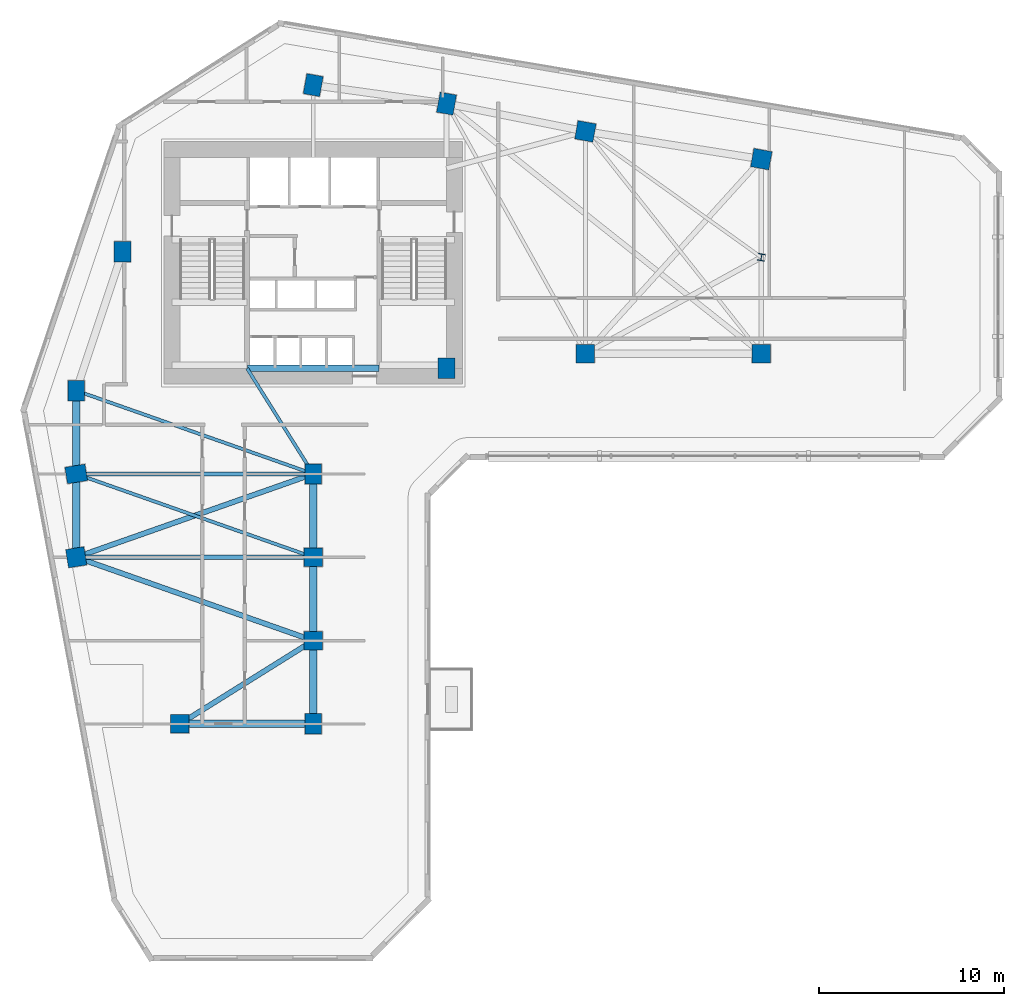
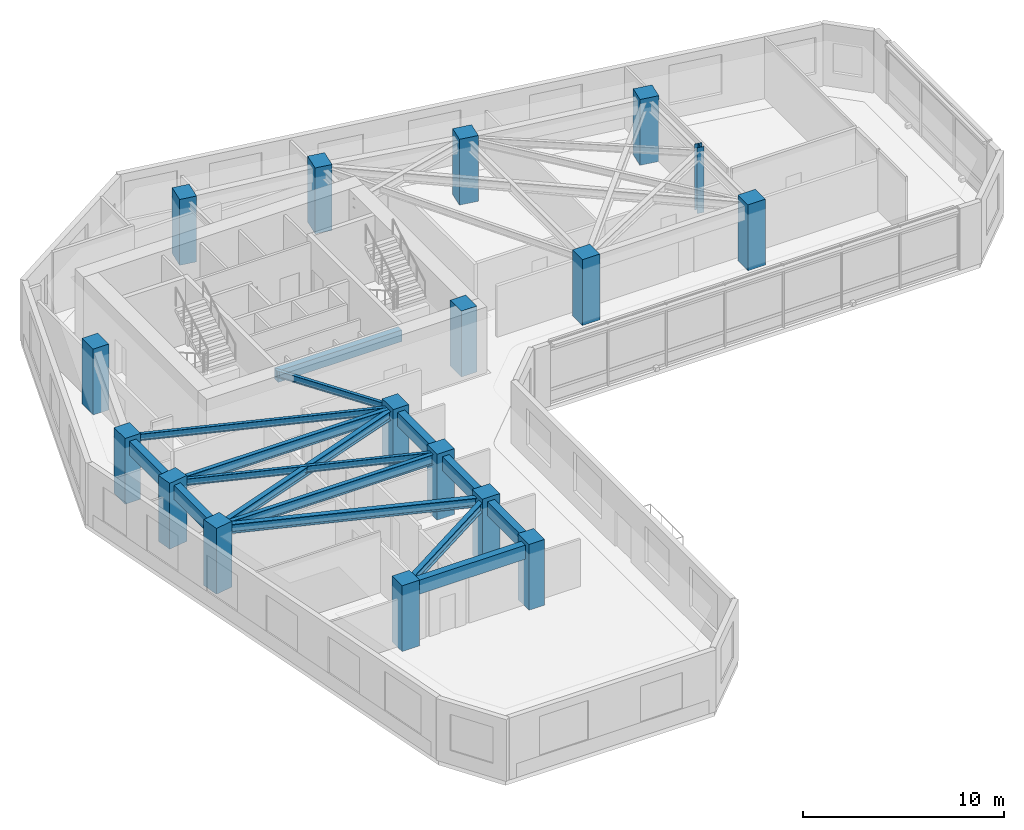
# One storey, part 1 of 12: 17 columns, 15 beams.
"""IFC4 building model written with IfcOpenShell, lengths in metres."""

from ifc_helpers import new_model, si_unit, direction, frame, origin, origin_2d, place, context, subcontext, project, spatial, rectangle, i_section, extrude, source, transform, mapped, material, material_profile, profile_set, type_object, element, save


model = new_model("IFC4")

# Units and contexts
model_context = context("Model", 3, precision=1e-05, world=origin(), true_north=direction((0.0, 1.0)))
body_context = subcontext(model_context, "Body", "Model", "MODEL_VIEW")
ifc_project = project(units=[si_unit("LENGTHUNIT", "METRE"), si_unit("AREAUNIT", "SQUARE_METRE"), si_unit("VOLUMEUNIT", "CUBIC_METRE"), si_unit("PLANEANGLEUNIT", "RADIAN"), si_unit("MASSUNIT", "GRAM", prefix="KILO")], contexts=[model_context])

# Site, building, storey
site_placement = place(None, origin())
site = spatial("IfcSite", under=ifc_project, at=site_placement, CompositionType="ELEMENT")
building_placement = place(site_placement, origin())
building = spatial("IfcBuilding", under=site, at=building_placement, Name="Calvemar Wedge Station Tower", CompositionType="ELEMENT")
storey_placement = place(building_placement, frame((0.0, 0.0, 51.0)))
storey = spatial("IfcBuildingStorey", under=building, at=storey_placement, Name="L12", CompositionType="ELEMENT", Elevation=51.0)

# Columns
ifc_material_1 = material(Name="Concrete C70", Category="concrete")
ifc_material_profile_1 = material_profile(ifc_material_1, rectangle(XDim=0.89990234375, YDim=1.10009765625, at=origin_2d()), Name="RC1100x900")
ifc_profile_set_1 = profile_set([ifc_material_profile_1], Name="Concrete C70")
column_type_1 = type_object("IfcColumnType", Name="COL-C3-1100x900", PredefinedType="COLUMN", material=ifc_profile_set_1)
shared_shape_1 = source(origin(), body_context, "Body", "SweptSolid", [
    extrude(rectangle(XDim=0.89990234375, YDim=1.10009765625, at=origin_2d()), origin(), (0.0, 0.0, 1.0), 4.0),
])
for number, where, z_axis, x_axis, name in (
    (1, (11.0, 33.0, 0.0), (0.0, 0.0, 1.0), (1.0, 0.0, 0.0), "Storey L12 Column T-NW1"),
    (2, (13.5, 40.5, 0.0), (0.0, 0.0, 1.0), (1.0, 0.0, 0.0), "Storey L12 Column T-NW2"),
    (3, (23.800048828125, 49.5, 0.0), (0.0, 0.0, 1.0), (0.984195607969, -0.17708474032, 0.0), "Storey L12 Column T-N1"),
    (4, (31.0, 48.5, 0.0), (0.0, 0.0, 1.0), (0.984195607969, -0.17708474032, 0.0), "Storey L12 Column T-N2"),
    (5, (31.0, 34.199951171875, 0.0), (0.0, 0.0, 1.0), (1.0, 0.0, 0.0), "Storey L12 Column T-NL1"),
    (6, (11.0, 28.5, 0.0), (0.0, 0.0, 1.0), (0.158158067254, -0.987413806751, 0.0), "Storey L12 Column T-SW1"),
    (7, (23.800048828125, 28.5, 0.0), (0.0, 0.0, 1.0), (1.0, 0.0, 0.0), "Storey L12 Column T-SE1"),
    (8, (23.800048828125, 15.0, 0.0), (0.0, 0.0, 1.0), (1.0, 0.0, 0.0), "Storey L12 Column T-SE4"),
):
    element("IfcColumn", number, at=place(storey_placement, frame(where, z_axis=z_axis, x_axis=x_axis)), inside=storey, type_object=column_type_1, Name=name, PredefinedType="COLUMN", context=body_context, shape_type="MappedRepresentation", body=[
        mapped(shared_shape_1, transform((0.0, 0.0, 0.0), scale=1.0)),
    ])
ifc_material_2 = material(Name="Concrete C60", Category="concrete")
ifc_material_profile_2 = material_profile(ifc_material_2, rectangle(XDim=1.0, YDim=1.0, at=origin_2d()), Name="RC1000x1000")
ifc_profile_set_2 = profile_set([ifc_material_profile_2], Name="Concrete C60")
column_type_2 = type_object("IfcColumnType", Name="COL-C4-1000", PredefinedType="COLUMN", material=ifc_profile_set_2)
shared_shape_2 = source(origin(), body_context, "Body", "SweptSolid", [
    extrude(rectangle(XDim=1.0, YDim=1.0, at=origin_2d()), origin(), (0.0, 0.0, 1.0), 4.0),
])
for number, where, z_axis, x_axis, name in (
    (9, (38.5, 47.0, 0.0), (0.0, 0.0, 1.0), (0.984195607969, -0.17708474032, 0.0), "Storey L12 Column T-NU3"),
    (10, (48.0, 45.5, 0.0), (0.0, 0.0, 1.0), (0.984195607969, -0.17708474032, 0.0), "Storey L12 Column T-NU4"),
    (11, (38.5, 35.0, 0.0), (0.0, 0.0, 1.0), (1.0, 0.0, 0.0), "Storey L12 Column T-NL2"),
    (12, (48.0, 35.0, 0.0), (0.0, 0.0, 1.0), (1.0, 0.0, 0.0), "Storey L12 Column T-NL3"),
    (13, (11.0, 24.0, 0.0), (0.0, 0.0, 1.0), (0.158158067254, -0.987413806751, 0.0), "Storey L12 Column T-SW2"),
    (14, (23.800048828125, 24.0, 0.0), (0.0, 0.0, 1.0), (1.0, 0.0, 0.0), "Storey L12 Column T-SE2"),
    (15, (23.800048828125, 19.5, 0.0), (0.0, 0.0, 1.0), (1.0, 0.0, 0.0), "Storey L12 Column T-SE3"),
    (16, (16.60009765625, 15.0, 0.0), (0.0, 0.0, 1.0), (1.0, 0.0, 0.0), "Storey L12 Column T-SM1"),
):
    element("IfcColumn", number, at=place(storey_placement, frame(where, z_axis=z_axis, x_axis=x_axis)), inside=storey, type_object=column_type_2, Name=name, PredefinedType="COLUMN", context=body_context, shape_type="MappedRepresentation", body=[
        mapped(shared_shape_2, transform((0.0, 0.0, 0.0), scale=1.0)),
    ])
ifc_material_3 = material(Name="Structural steel ASTM A572 Grade 50", Category="steel")
ifc_material_profile_3 = material_profile(ifc_material_3, i_section(OverallWidth=0.3740234375, OverallDepth=0.3720703125, WebThickness=0.016357421875, FlangeThickness=0.026123046875, FilletRadius=0.014892578125, at=origin_2d()), Name="W360x196")
ifc_profile_set_3 = profile_set([ifc_material_profile_3], Name="Structural steel ASTM A572 Grade 50")
column_type_3 = type_object("IfcColumnType", Name="COL-STL-W360", PredefinedType="COLUMN", material=ifc_profile_set_3)
shared_shape_3 = source(origin(), body_context, "Body", "SweptSolid", [
    extrude(i_section(OverallWidth=0.3740234375, OverallDepth=0.3720703125, WebThickness=0.016357421875, FlangeThickness=0.026123046875, FilletRadius=0.014892578125, at=origin_2d()), origin(), (0.0, 0.0, 1.0), 4.0),
])
column_placement = place(storey_placement, frame((48.0, 40.199951171875, 0.0), z_axis=(0.0, 0.0, 1.0), x_axis=(0.984195607969, -0.17708474032, 0.0)))
element("IfcColumn", 17, at=column_placement, inside=storey, type_object=column_type_3, Name="Storey L12 Column T-NTIP-A", PredefinedType="COLUMN", context=body_context, shape_type="MappedRepresentation", body=[
    mapped(shared_shape_3, transform((0.0, 0.0, 0.0), scale=1.0)),
])

# Beams
ifc_material_profile_4 = material_profile(ifc_material_2, rectangle(XDim=0.39990234375, YDim=0.85009765625, at=origin_2d()), Name="RC400x850")
ifc_profile_set_4 = profile_set([ifc_material_profile_4], Name="Concrete C60")
beam_type_1 = type_object("IfcBeamType", Name="BM-SP1-850", PredefinedType="SPANDREL", material=ifc_profile_set_4)
shared_shape_4 = source(origin(), body_context, "Body", "SweptSolid", [
    extrude(rectangle(XDim=0.39990234375, YDim=0.85009765625, at=origin_2d()), origin(), (0.0, 0.0, 1.0), 4.5),
])
for number, where, z_axis, x_axis, name in (
    (18, (11.0, 33.0, 3.324951171875), (0.0, -1.0, 0.0), (1.0, 0.0, 0.0), "Storey L12 Spandrel T-NW1-T-SW1"),
    (19, (11.0, 28.5, 3.324951171875), (0.0, -1.0, 0.0), (1.0, 0.0, 0.0), "Storey L12 Spandrel T-SW1-T-SW2"),
    (20, (23.800048828125, 28.5, 3.324951171875), (0.0, -1.0, 0.0), (1.0, 0.0, 0.0), "Storey L12 Spandrel T-SE1-T-SE2"),
    (21, (23.800048828125, 24.0, 3.324951171875), (0.0, -1.0, 0.0), (1.0, 0.0, 0.0), "Storey L12 Spandrel T-SE2-T-SE3"),
    (22, (23.800048828125, 19.5, 3.324951171875), (0.0, -1.0, 0.0), (1.0, 0.0, 0.0), "Storey L12 Spandrel T-SE3-T-SE4"),
):
    element("IfcBeam", number, at=place(storey_placement, frame(where, z_axis=z_axis, x_axis=x_axis)), inside=storey, type_object=beam_type_1, Name=name, PredefinedType="SPANDREL", context=body_context, shape_type="MappedRepresentation", body=[
        mapped(shared_shape_4, transform((0.0, 0.0, 0.0), scale=1.0)),
    ])
shared_shape_5 = source(origin(), body_context, "Body", "SweptSolid", [
    extrude(rectangle(XDim=0.39990234375, YDim=0.85009765625, at=origin_2d()), origin(), (0.0, 0.0, 1.0), 7.199951171875),
])
beam_1_placement = place(storey_placement, frame((16.60009765625, 15.0, 3.324951171875), z_axis=(1.0, 0.0, 0.0), x_axis=(0.0, 1.0, 0.0)))
element("IfcBeam", 23, at=beam_1_placement, inside=storey, type_object=beam_type_1, Name="Storey L12 Spandrel T-SM1-T-SE4", PredefinedType="SPANDREL", context=body_context, shape_type="MappedRepresentation", body=[
    mapped(shared_shape_5, transform((0.0, 0.0, 0.0), scale=1.0)),
])
ifc_material_profile_5 = material_profile(ifc_material_3, i_section(OverallWidth=0.22998046875, OverallDepth=0.616943359375, WebThickness=0.01318359375, FlangeThickness=0.022216796875, FilletRadius=0.012939453125, at=origin_2d()), Name="W610x140")
ifc_profile_set_5 = profile_set([ifc_material_profile_5], Name="Structural steel ASTM A572 Grade 50")
beam_type_2 = type_object("IfcBeamType", Name="BM-SB2-W610", PredefinedType="BEAM", material=ifc_profile_set_5)
shared_shape_6 = source(origin(), body_context, "Body", "SweptSolid", [
    extrude(i_section(OverallWidth=0.22998046875, OverallDepth=0.616943359375, WebThickness=0.01318359375, FlangeThickness=0.022216796875, FilletRadius=0.012939453125, at=origin_2d()), origin(), (0.0, 0.0, 1.0), 12.800048828125),
])
for number, where, z_axis, x_axis, name in (
    (24, (11.0, 28.5, 3.44140625), (1.0, 0.0, 0.0), (0.0, 1.0, 0.0), "Storey L12 Floor Beam T-SW1-T-SE1"),
    (25, (11.0, 24.0, 3.44140625), (1.0, 0.0, 0.0), (0.0, 1.0, 0.0), "Storey L12 Floor Beam T-SW2-T-SE2"),
):
    element("IfcBeam", number, at=place(storey_placement, frame(where, z_axis=z_axis, x_axis=x_axis)), inside=storey, type_object=beam_type_2, Name=name, PredefinedType="BEAM", context=body_context, shape_type="MappedRepresentation", body=[
        mapped(shared_shape_6, transform((0.0, 0.0, 0.0), scale=1.0)),
    ])
ifc_material_profile_6 = material_profile(ifc_material_3, i_section(OverallWidth=0.177978515625, OverallDepth=0.406982421875, WebThickness=0.0078125, FlangeThickness=0.0126953125, FilletRadius=0.010009765625, at=origin_2d()), Name="W410x60")
ifc_profile_set_6 = profile_set([ifc_material_profile_6], Name="Structural steel ASTM A572 Grade 50")
beam_type_3 = type_object("IfcBeamType", Name="BM-J3-W410", PredefinedType="JOIST", material=ifc_profile_set_6)
shared_shape_7 = source(origin(), body_context, "Body", "SweptSolid", [
    extrude(i_section(OverallWidth=0.177978515625, OverallDepth=0.406982421875, WebThickness=0.0078125, FlangeThickness=0.0126953125, FilletRadius=0.010009765625, at=origin_2d()), origin(), (0.0, 0.0, 1.0), 13.568115234375),
])
for number, where, z_axis, x_axis, name in (
    (26, (11.0, 33.0, 3.54638671875), (0.943398221169, -0.331662171939, 0.0), (0.331662171939, 0.943398221169, 0.0), "Storey L12 Floor Beam T-NW1-T-SE1"),
    (27, (11.0, 28.5, 3.54638671875), (0.943398221169, -0.331662171939, 0.0), (0.331662171939, 0.943398221169, 0.0), "Storey L12 Floor Beam T-SW1-T-SE2"),
):
    element("IfcBeam", number, at=place(storey_placement, frame(where, z_axis=z_axis, x_axis=x_axis)), inside=storey, type_object=beam_type_3, Name=name, PredefinedType="JOIST", context=body_context, shape_type="MappedRepresentation", body=[
        mapped(shared_shape_7, transform((0.0, 0.0, 0.0), scale=1.0)),
    ])
ifc_material_profile_7 = material_profile(ifc_material_3, i_section(OverallWidth=0.279052734375, OverallDepth=0.553955078125, WebThickness=0.017578125, FlangeThickness=0.029541015625, FilletRadius=0.014892578125, at=origin_2d()), Name="W530x196")
ifc_profile_set_7 = profile_set([ifc_material_profile_7], Name="Structural steel ASTM A572 Grade 50")
beam_type_4 = type_object("IfcBeamType", Name="BM-SB3-W530H", PredefinedType="BEAM", material=ifc_profile_set_7)
shared_shape_8 = source(origin(), body_context, "Body", "SweptSolid", [
    extrude(i_section(OverallWidth=0.279052734375, OverallDepth=0.553955078125, WebThickness=0.017578125, FlangeThickness=0.029541015625, FilletRadius=0.014892578125, at=origin_2d()), origin(), (0.0, 0.0, 1.0), 13.568115234375),
])
for number, where, z_axis, x_axis, name in (
    (28, (23.800048828125, 28.5, 3.472900390625), (-0.943398221169, -0.331662171939, 0.0), (0.331662171939, -0.943398221169, 0.0), "Storey L12 Floor Beam T-SE1-T-SW2"),
    (29, (11.0, 24.0, 3.472900390625), (0.943398221169, -0.331662171939, 0.0), (0.331662171939, 0.943398221169, 0.0), "Storey L12 Floor Beam T-SW2-T-SE3"),
):
    element("IfcBeam", number, at=place(storey_placement, frame(where, z_axis=z_axis, x_axis=x_axis)), inside=storey, type_object=beam_type_4, Name=name, PredefinedType="BEAM", context=body_context, shape_type="MappedRepresentation", body=[
        mapped(shared_shape_8, transform((0.0, 0.0, 0.0), scale=1.0)),
    ])
shared_shape_9 = source(origin(), body_context, "Body", "SweptSolid", [
    extrude(i_section(OverallWidth=0.279052734375, OverallDepth=0.553955078125, WebThickness=0.017578125, FlangeThickness=0.029541015625, FilletRadius=0.014892578125, at=origin_2d()), origin(), (0.0, 0.0, 1.0), 8.490478515625),
])
beam_2_placement = place(storey_placement, frame((23.800048828125, 19.5, 3.472900390625), z_axis=(-0.847996688584, -0.530001524668, 0.0), x_axis=(0.530001524668, -0.847996688584, 0.0)))
element("IfcBeam", 30, at=beam_2_placement, inside=storey, type_object=beam_type_4, Name="Storey L12 Floor Beam T-SE3-T-SM1", PredefinedType="BEAM", context=body_context, shape_type="MappedRepresentation", body=[
    mapped(shared_shape_9, transform((0.0, 0.0, 0.0), scale=1.0)),
])
shared_shape_10 = source(origin(), body_context, "Body", "SweptSolid", [
    extrude(i_section(OverallWidth=0.177978515625, OverallDepth=0.406982421875, WebThickness=0.0078125, FlangeThickness=0.0126953125, FilletRadius=0.010009765625, at=origin_2d()), origin(), (0.0, 0.0, 1.0), 6.7255859375),
])
beam_3_placement = place(storey_placement, frame((20.22998046875, 34.199951171875, 3.54638671875), z_axis=(0.530811158438, -0.847490126242, 0.0), x_axis=(0.847490126242, 0.530811158438, 0.0)))
element("IfcBeam", 31, at=beam_3_placement, inside=storey, type_object=beam_type_3, Name="Storey L12 Core-to-Column Joist CJ-S2", PredefinedType="JOIST", context=body_context, shape_type="MappedRepresentation", body=[
    mapped(shared_shape_10, transform((0.0, 0.0, 0.0), scale=1.0)),
])
ifc_material_profile_8 = material_profile(ifc_material_1, rectangle(XDim=0.35009765625, YDim=0.699951171875, at=origin_2d()), Name="RC350x700")
ifc_profile_set_8 = profile_set([ifc_material_profile_8], Name="Concrete C70")
beam_type_5 = type_object("IfcBeamType", Name="BM-LN1-700", PredefinedType="LINTEL", material=ifc_profile_set_8)
shared_shape_11 = source(origin(), body_context, "Body", "SweptSolid", [
    extrude(rectangle(XDim=0.35009765625, YDim=0.699951171875, at=origin_2d()), origin(), (0.0, 0.0, 1.0), 7.10009765625),
])
beam_4_placement = place(storey_placement, frame((20.25, 34.199951171875, 3.39990234375), z_axis=(1.0, 0.0, 0.0), x_axis=(0.0, 1.0, 0.0)))
element("IfcBeam", 32, at=beam_4_placement, inside=storey, type_object=beam_type_5, Name="Storey L12 Core Coupling Lintel South", PredefinedType="LINTEL", context=body_context, shape_type="MappedRepresentation", body=[
    mapped(shared_shape_11, transform((0.0, 0.0, 0.0), scale=1.0)),
])

save(model, "model.ifc")
